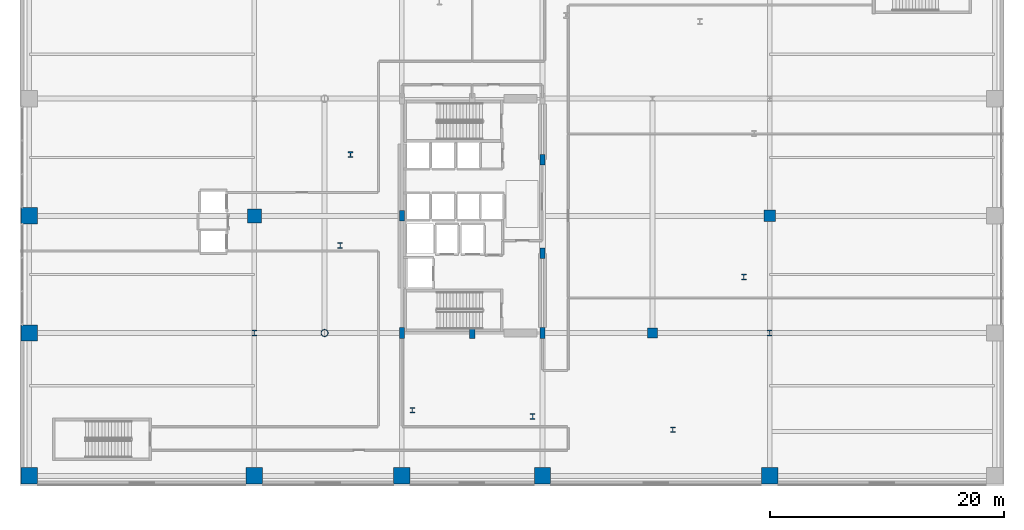
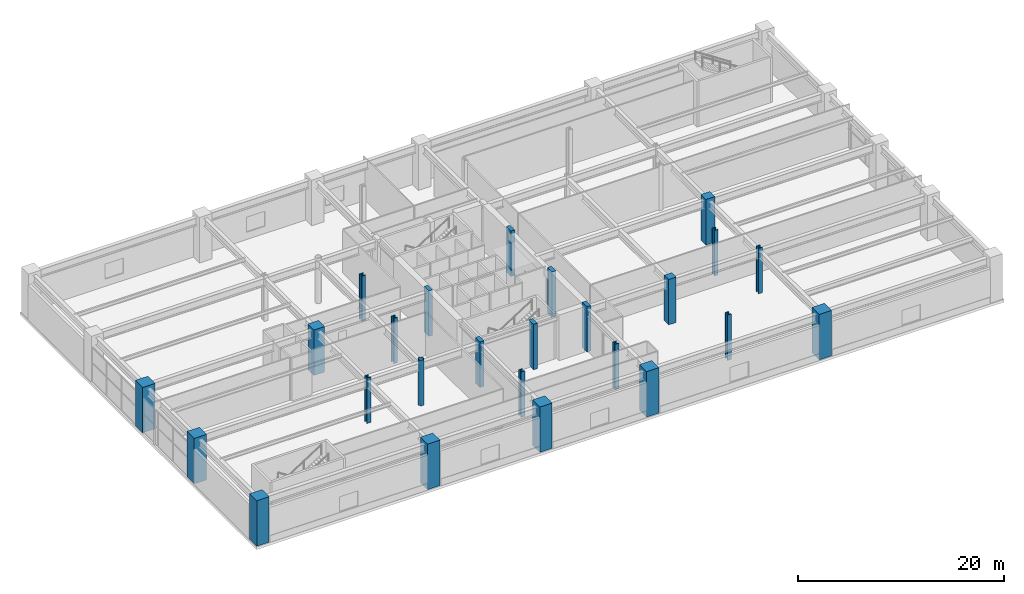
# One storey, part 1 of 28: 25 columns.
"""IFC4 building model written with IfcOpenShell, lengths in metres."""

from ifc_helpers import new_model, si_unit, direction, frame, origin, origin_2d, place, context, subcontext, project, spatial, rectangle, hollow_circle, i_section, extrude, material, material_profile, profile_set, type_object, element, save


model = new_model("IFC4")

# Units and contexts
model_context = context("Model", 3, precision=1e-05, world=origin(), true_north=direction((0.0, 1.0)))
body_context = subcontext(model_context, "Body", "Model", "MODEL_VIEW")
ifc_project = project(units=[si_unit("LENGTHUNIT", "METRE"), si_unit("AREAUNIT", "SQUARE_METRE"), si_unit("VOLUMEUNIT", "CUBIC_METRE"), si_unit("PLANEANGLEUNIT", "RADIAN"), si_unit("MASSUNIT", "GRAM", prefix="KILO")], contexts=[model_context])

# Site, building, storey
site_placement = place(None, origin())
site = spatial("IfcSite", under=ifc_project, at=site_placement, CompositionType="ELEMENT")
building_placement = place(site_placement, origin())
building = spatial("IfcBuilding", under=site, at=building_placement, Name="Soratama Intermodal Tower", CompositionType="ELEMENT")
storey_placement = place(building_placement, frame((0.0, 0.0, 6.0)))
storey = spatial("IfcBuildingStorey", under=building, at=storey_placement, Name="L01", CompositionType="ELEMENT", Elevation=6.0)

# Columns
ifc_material_1 = material(Name="Concrete f'c 56 MPa", Category="concrete")
ifc_material_profile_1 = material_profile(ifc_material_1, rectangle(XDim=1.39990234375, YDim=1.39990234375, at=origin_2d()), Name="RC1400X1400")
ifc_profile_set_1 = profile_set([ifc_material_profile_1], Name="Concrete f'c 56 MPa")
column_type_1 = type_object("IfcColumnType", Name="COL-POD-EXT-RC1400", PredefinedType="COLUMN", material=ifc_profile_set_1)
for number, where, z_axis, x_axis, name in (
    (1, (0.800048828125, 2.800048828125, 0.0), (0.0, 0.0, 1.0), (1.0, 0.0, 0.0), "L01 Station Column P01"),
    (2, (20.0, 2.800048828125, 0.0), (0.0, 0.0, 1.0), (1.0, 0.0, 0.0), "L01 Station Column P02"),
    (3, (64.0, 2.800048828125, 0.0), (0.0, 0.0, 1.0), (1.0, 0.0, 0.0), "L01 Station Column P03"),
    (4, (0.800048828125, 15.0, 0.0), (0.0, 0.0, 1.0), (1.0, 0.0, 0.0), "L01 Station Column P05"),
    (5, (0.800048828125, 25.0, 0.0), (0.0, 0.0, 1.0), (1.0, 0.0, 0.0), "L01 Station Column P17"),
    (6, (32.60009765625, 2.800048828125, 0.0), (0.0, 0.0, 1.0), (1.0, 0.0, 0.0), "L01 Station Column P21"),
    (7, (44.60009765625, 2.800048828125, 0.0), (0.0, 0.0, 1.0), (1.0, 0.0, 0.0), "L01 Station Column P22"),
):
    element("IfcColumn", number, at=place(storey_placement, frame(where, z_axis=z_axis, x_axis=x_axis)), inside=storey, type_object=column_type_1, Name=name, PredefinedType="COLUMN", context=body_context, shape_type="SweptSolid", body=[
        extrude(rectangle(XDim=1.39990234375, YDim=1.39990234375, at=origin_2d()), origin(), (0.0, 0.0, 1.0), 5.39990234375),
    ])
ifc_material_2 = material(Name="Concrete f'c 56 MPa", Category="concrete")
ifc_material_profile_2 = material_profile(ifc_material_2, rectangle(XDim=1.0, YDim=1.0, at=origin_2d()), Name="RC1000X1000")
ifc_profile_set_2 = profile_set([ifc_material_profile_2], Name="Concrete f'c 56 MPa")
column_type_2 = type_object("IfcColumnType", Name="COL-POD-RC1000", PredefinedType="COLUMN", material=ifc_profile_set_2)
column_1_placement = place(storey_placement, frame((64.0, 25.0, 0.0), z_axis=(0.0, 0.0, 1.0), x_axis=(1.0, 0.0, 0.0)))
element("IfcColumn", 8, at=column_1_placement, inside=storey, type_object=column_type_2, Name="L01 Station Column P19", PredefinedType="COLUMN", context=body_context, shape_type="SweptSolid", body=[
    extrude(rectangle(XDim=1.0, YDim=1.0, at=origin_2d()), origin(), (0.0, 0.0, 1.0), 5.39990234375),
])
ifc_material_3 = material(Name="Concrete f'c 56 MPa", Category="concrete")
ifc_material_profile_3 = material_profile(ifc_material_3, rectangle(XDim=1.199951171875, YDim=1.199951171875, at=origin_2d()), Name="RC1200X1200")
ifc_profile_set_3 = profile_set([ifc_material_profile_3], Name="Concrete f'c 56 MPa")
column_type_3 = type_object("IfcColumnType", Name="COL-POD-RC1200", PredefinedType="COLUMN", material=ifc_profile_set_3)
column_2_placement = place(storey_placement, frame((20.0, 25.0, 0.0), z_axis=(0.0, 0.0, 1.0), x_axis=(1.0, 0.0, 0.0)))
element("IfcColumn", 9, at=column_2_placement, inside=storey, type_object=column_type_3, Name="L01 Station Column P18", PredefinedType="COLUMN", context=body_context, shape_type="SweptSolid", body=[
    extrude(rectangle(XDim=1.199951171875, YDim=1.199951171875, at=origin_2d()), origin(), (0.0, 0.0, 1.0), 5.39990234375),
])
ifc_material_4 = material(Name="Concrete f'c 56 MPa", Category="concrete")
ifc_material_profile_4 = material_profile(ifc_material_4, rectangle(XDim=0.85009765625, YDim=0.85009765625, at=origin_2d()), Name="RC850X850")
ifc_profile_set_4 = profile_set([ifc_material_profile_4], Name="Concrete f'c 56 MPa")
column_type_4 = type_object("IfcColumnType", Name="COL-POD-RC850", PredefinedType="COLUMN", material=ifc_profile_set_4)
column_3_placement = place(storey_placement, frame((54.0, 15.0, 0.0), z_axis=(0.0, 0.0, 1.0), x_axis=(1.0, 0.0, 0.0)))
element("IfcColumn", 10, at=column_3_placement, inside=storey, type_object=column_type_4, Name="L01 Station Column P25", PredefinedType="COLUMN", context=body_context, shape_type="SweptSolid", body=[
    extrude(rectangle(XDim=0.85009765625, YDim=0.85009765625, at=origin_2d()), origin(), (0.0, 0.0, 1.0), 5.39990234375),
])
ifc_material_5 = material(Name="Structural steel ASTM A992 Grade 50", Category="steel")
ifc_material_profile_5 = material_profile(ifc_material_5, i_section(OverallWidth=0.431884765625, OverallDepth=0.498046875, WebThickness=0.0556640625, FlangeThickness=0.0888671875, FilletRadius=0.0380859375, at=origin_2d()), Name="W14X500")
ifc_profile_set_5 = profile_set([ifc_material_profile_5], Name="Structural steel ASTM A992 Grade 50")
column_type_5 = type_object("IfcColumnType", Name="COL-POD-W14X500", PredefinedType="COLUMN", material=ifc_profile_set_5)
for number, where, z_axis, x_axis, name in (
    (11, (20.0, 15.0, 0.0), (0.0, 0.0, 1.0), (1.0, 0.0, 0.0), "L01 Station Column P06"),
    (12, (64.0, 15.0, 0.0), (0.0, 0.0, 1.0), (1.0, 0.0, 0.0), "L01 Station Column P07"),
    (13, (28.208984375, 30.22705078125, 0.0), (0.0, 0.0, 1.0), (1.0, 0.0, 0.0), "L01 Station Column P33"),
    (14, (27.3310546875, 22.47509765625, 0.0), (0.0, 0.0, 1.0), (1.0, 0.0, 0.0), "L01 Station Column P34"),
    (15, (33.498046875, 8.405029296875, 0.0), (0.0, 0.0, 1.0), (1.0, 0.0, 0.0), "L01 Station Column P35"),
    (16, (43.759033203125, 7.883056640625, 0.0), (0.0, 0.0, 1.0), (1.0, 0.0, 0.0), "L01 Station Column P36"),
    (17, (55.73388671875, 6.735107421875, 0.0), (0.0, 0.0, 1.0), (1.0, 0.0, 0.0), "L01 Station Column P37"),
    (18, (61.791015625, 19.77294921875, 0.0), (0.0, 0.0, 1.0), (1.0, 0.0, 0.0), "L01 Station Column P38"),
):
    element("IfcColumn", number, at=place(storey_placement, frame(where, z_axis=z_axis, x_axis=x_axis)), inside=storey, type_object=column_type_5, Name=name, PredefinedType="COLUMN", context=body_context, shape_type="SweptSolid", body=[
        extrude(i_section(OverallWidth=0.431884765625, OverallDepth=0.498046875, WebThickness=0.0556640625, FlangeThickness=0.0888671875, FilletRadius=0.0380859375, at=origin_2d()), origin(), (0.0, 0.0, 1.0), 5.39990234375),
    ])
ifc_material_6 = material(Name="Structural steel ASTM A500 Grade C", Category="steel")
ifc_material_profile_6 = material_profile(ifc_material_6, hollow_circle(Radius=0.304931640625, WallThickness=0.02197265625, at=origin_2d()), Name="CHS610X22")
ifc_profile_set_6 = profile_set([ifc_material_profile_6], Name="Structural steel ASTM A500 Grade C")
column_type_6 = type_object("IfcColumnType", Name="COL-POOL-CHS610", PredefinedType="COLUMN", material=ifc_profile_set_6)
column_4_placement = place(storey_placement, frame((26.0, 15.0, 0.0), z_axis=(0.0, 0.0, 1.0), x_axis=(1.0, 0.0, 0.0)))
element("IfcColumn", 19, at=column_4_placement, inside=storey, type_object=column_type_6, Name="L01 Station Column P27", PredefinedType="COLUMN", context=body_context, shape_type="SweptSolid", body=[
    extrude(hollow_circle(Radius=0.304931640625, WallThickness=0.02197265625, at=origin_2d()), origin(), (0.0, 0.0, 1.0), 5.39990234375),
])
ifc_material_7 = material(Name="Concrete f'c 56 MPa", Category="concrete")
ifc_material_profile_7 = material_profile(ifc_material_7, rectangle(XDim=0.449951171875, YDim=0.89990234375, at=origin_2d()), Name="RC450X900")
ifc_profile_set_7 = profile_set([ifc_material_profile_7], Name="Concrete f'c 56 MPa")
column_type_7 = type_object("IfcColumnType", Name="PIL-CORE-450X900", PredefinedType="PILASTER", material=ifc_profile_set_7)
for number, where, z_axis, x_axis, name in (
    (20, (32.60009765625, 15.0, 0.0), (0.0, 0.0, 1.0), (1.0, 0.0, 0.0), "L01 Core Pilaster 1"),
    (21, (32.60009765625, 25.0, 0.0), (0.0, 0.0, 1.0), (1.0, 0.0, 0.0), "L01 Core Pilaster 2"),
    (22, (38.60009765625, 15.0, 0.0), (0.0, 0.0, 1.0), (1.0, 0.0, 0.0), "L01 Core Pilaster 4"),
    (23, (44.60009765625, 15.0, 0.0), (0.0, 0.0, 1.0), (1.0, 0.0, 0.0), "L01 Core Pilaster 6"),
    (24, (44.60009765625, 21.800048828125, 0.0), (0.0, 0.0, 1.0), (1.0, 0.0, 0.0), "L01 Core Pilaster 7"),
    (25, (44.60009765625, 29.800048828125, 0.0), (0.0, 0.0, 1.0), (1.0, 0.0, 0.0), "L01 Core Pilaster 8"),
):
    element("IfcColumn", number, at=place(storey_placement, frame(where, z_axis=z_axis, x_axis=x_axis)), inside=storey, type_object=column_type_7, Name=name, PredefinedType="PILASTER", context=body_context, shape_type="SweptSolid", body=[
        extrude(rectangle(XDim=0.449951171875, YDim=0.89990234375, at=origin_2d()), origin(), (0.0, 0.0, 1.0), 5.39990234375),
    ])

save(model, "model.ifc")
